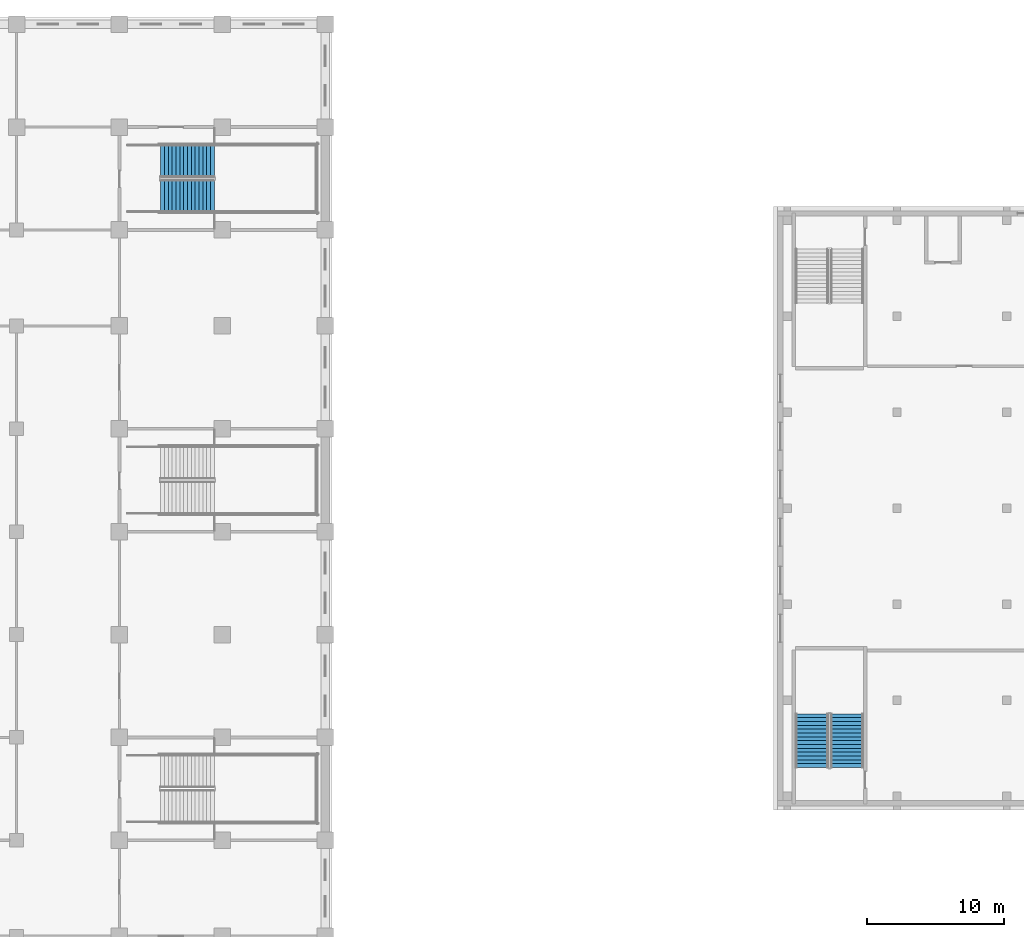
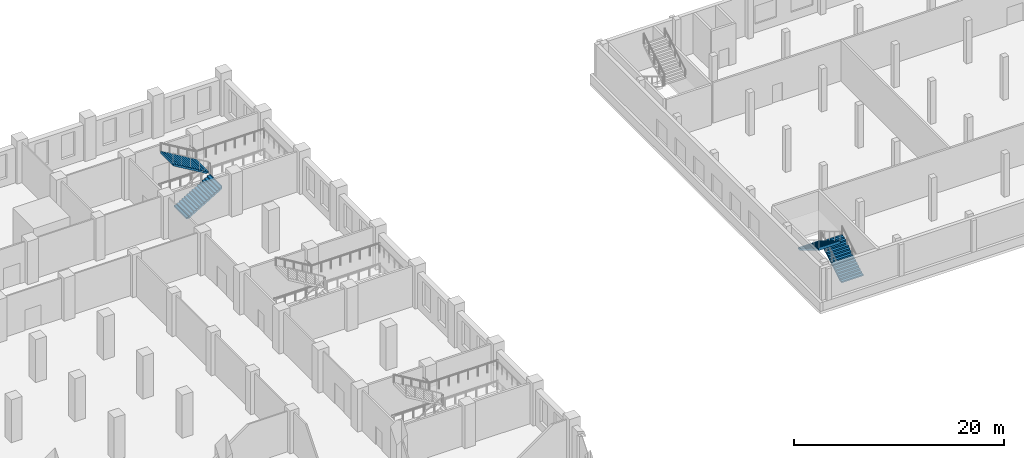
# One storey, part 18 of 32: 4 stair flights, 2 elements without a shape of their own.
"""IFC4 building model written with IfcOpenShell, lengths in metres."""

from ifc_helpers import new_model, si_unit, direction, frame, origin, place, context, subcontext, project, spatial, polyline, outline, extrude, material, type_object, element, aggregate, save


model = new_model("IFC4")

# Units and contexts
model_context = context("Model", 3, precision=1e-05, world=origin(), true_north=direction((0.0, 1.0)))
body_context = subcontext(model_context, "Body", "Model", "MODEL_VIEW")
ifc_project = project(units=[si_unit("LENGTHUNIT", "METRE"), si_unit("AREAUNIT", "SQUARE_METRE"), si_unit("VOLUMEUNIT", "CUBIC_METRE"), si_unit("PLANEANGLEUNIT", "RADIAN"), si_unit("MASSUNIT", "GRAM", prefix="KILO")], contexts=[model_context])

# Site, building, storey
site_placement = place(None, origin())
site = spatial("IfcSite", under=ifc_project, at=site_placement, CompositionType="ELEMENT")
building_placement = place(site_placement, origin())
building = spatial("IfcBuilding", under=site, at=building_placement, Name="Tamorin Gate", CompositionType="ELEMENT")
storey_placement = place(building_placement, frame((0.0, 0.0, 18.5)))
storey = spatial("IfcBuildingStorey", under=building, at=storey_placement, Name="L03", CompositionType="ELEMENT", Elevation=18.5)

# Stair, stair flights
ifc_material_1 = material(Name="Concrete C40/50", Category="concrete")
stair_type_1 = type_object("IfcStairType", Name="Museum exit stair 2400 C40/50", PredefinedType="HALF_TURN_STAIR", material=ifc_material_1)
stair_1_placement = place(storey_placement, origin())
stair_1 = element("IfcStair", 1, at=stair_1_placement, inside=storey, type_object=stair_type_1, Name="L03 PS8", PredefinedType="HALF_TURN_STAIR")
stair_flight_type_1 = type_object("IfcStairFlightType", Name="Museum exit stair flight 2400 C40/50", PredefinedType="STRAIGHT", material=ifc_material_1)
stair_flight_1_placement = place(storey_placement, frame((150.050048828125, 57.800048828125, 0.0), z_axis=(0.0, 0.0, 1.0), x_axis=(0.0, 1.0, 0.0)))
stair_flight_1 = element("IfcStairFlight", 2, at=stair_flight_1_placement, type_object=stair_flight_type_1, Name="PS8 flight 1", NumberOfRisers=15, NumberOfTreads=14, PredefinedType="STRAIGHT", RiserHeight=0.166666667, TreadLength=0.28, context=body_context, shape_type="SweptSolid", body=[
    extrude(outline(polyline([(-0.00048828125, 0.0), (-0.00048828125, 0.001708984375), (-0.00048828125, 0.00341796875), (-0.00048828125, 0.0048828125), (-0.00048828125, 0.006591796875), (-0.00048828125, 0.00830078125), (-0.00048828125, 0.010009765625), (-0.00048828125, 0.011474609375), (-0.00048828125, 0.01318359375), (-0.00048828125, 0.014892578125), (-0.00048828125, 0.0166015625), (-0.00048828125, 0.01806640625), (-0.00048828125, 0.019775390625), (-0.00048828125, 0.021484375), (-0.00048828125, 0.023193359375), (-0.00048828125, 0.024658203125), (-0.00048828125, 0.0263671875), (-0.00048828125, 0.028076171875), (-0.00048828125, 0.02978515625), (-0.00048828125, 0.03125), (-0.00048828125, 0.032958984375), (-0.00048828125, 0.03466796875), (-0.00048828125, 0.036376953125), (-0.00048828125, 0.037841796875), (-0.00048828125, 0.03955078125), (-0.00048828125, 0.041259765625), (-0.00048828125, 0.04296875), (-0.00048828125, 0.04443359375), (-0.00048828125, 0.046142578125), (-0.00048828125, 0.0478515625), (-0.00048828125, 0.049560546875), (-0.00048828125, 0.05126953125), (-0.00048828125, 0.052734375), (-0.00048828125, 0.054443359375), (-0.00048828125, 0.05615234375), (-0.00048828125, 0.057861328125), (-0.00048828125, 0.059326171875), (-0.00048828125, 0.06103515625), (-0.00048828125, 0.062744140625), (-0.00048828125, 0.064453125), (-0.00048828125, 0.06591796875), (-0.00048828125, 0.067626953125), (-0.00048828125, 0.0693359375), (-0.00048828125, 0.071044921875), (-0.00048828125, 0.072509765625), (-0.00048828125, 0.07421875), (-0.00048828125, 0.075927734375), (-0.00048828125, 0.07763671875), (-0.00048828125, 0.0791015625), (-0.00048828125, 0.080810546875), (-0.00048828125, 0.08251953125), (-0.00048828125, 0.084228515625), (-0.00048828125, 0.085693359375), (-0.00048828125, 0.08740234375), (-0.00048828125, 0.089111328125), (-0.00048828125, 0.0908203125), (-0.00048828125, 0.092529296875), (-0.00048828125, 0.093994140625), (-0.00048828125, 0.095703125), (-0.00048828125, 0.097412109375), (-0.00048828125, 0.09912109375), (-0.00048828125, 0.1005859375), (-0.00048828125, 0.102294921875), (-0.00048828125, 0.10400390625), (-0.00048828125, 0.105712890625), (-0.00048828125, 0.107177734375), (-0.00048828125, 0.10888671875), (-0.00048828125, 0.110595703125), (-0.00048828125, 0.1123046875), (-0.00048828125, 0.11376953125), (-0.00048828125, 0.115478515625), (-0.00048828125, 0.1171875), (-0.00048828125, 0.118896484375), (-0.00048828125, 0.120361328125), (-0.00048828125, 0.1220703125), (-0.00048828125, 0.123779296875), (-0.00048828125, 0.12548828125), (-0.00048828125, 0.126953125), (-0.00048828125, 0.128662109375), (-0.00048828125, 0.13037109375), (-0.00048828125, 0.132080078125), (-0.00048828125, 0.133544921875), (-0.00048828125, 0.13525390625), (-0.00048828125, 0.136962890625), (-0.00048828125, 0.138671875), (-0.00048828125, 0.140380859375), (-0.00048828125, 0.141845703125), (-0.00048828125, 0.1435546875), (-0.00048828125, 0.145263671875), (-0.00048828125, 0.14697265625), (-0.00048828125, 0.1484375), (-0.00048828125, 0.150146484375), (-0.00048828125, 0.15185546875), (-0.00048828125, 0.153564453125), (-0.00048828125, 0.155029296875), (-0.00048828125, 0.15673828125), (-0.00048828125, 0.158447265625), (-0.00048828125, 0.16015625), (-0.00048828125, 0.16162109375), (-0.00048828125, 0.163330078125), (-0.00048828125, 0.1650390625), (-0.00048828125, 0.166748046875), (0.280029296875, 0.166748046875), (0.280029296875, 0.333251953125), (0.56005859375, 0.333251953125), (0.56005859375, 0.5), (0.840087890625, 0.5), (0.840087890625, 0.666748046875), (1.1201171875, 0.666748046875), (1.1201171875, 0.833251953125), (1.39990234375, 0.833251953125), (1.39990234375, 1.0), (1.679931640625, 1.0), (1.679931640625, 1.166748046875), (1.9599609375, 1.166748046875), (1.9599609375, 1.333251953125), (2.239990234375, 1.333251953125), (2.239990234375, 1.5), (2.52001953125, 1.5), (2.52001953125, 1.666748046875), (2.800048828125, 1.666748046875), (2.800048828125, 1.833251953125), (3.080078125, 1.833251953125), (3.080078125, 2.0), (3.360107421875, 2.0), (3.360107421875, 2.166748046875), (3.639892578125, 2.166748046875), (3.639892578125, 2.333251953125), (3.919921875, 2.333251953125), (3.919921875, 2.5), (3.92041015625, 2.5), (3.92041015625, 2.49658203125), (3.92041015625, 2.4931640625), (3.92041015625, 2.48974609375), (3.92041015625, 2.486572265625), (3.92041015625, 2.483154296875), (3.92041015625, 2.479736328125), (3.92041015625, 2.476318359375), (3.92041015625, 2.472900390625), (3.92041015625, 2.469482421875), (3.92041015625, 2.46630859375), (3.92041015625, 2.462890625), (3.92041015625, 2.45947265625), (3.92041015625, 2.4560546875), (3.92041015625, 2.45263671875), (3.92041015625, 2.44921875), (3.92041015625, 2.446044921875), (3.92041015625, 2.442626953125), (3.92041015625, 2.439208984375), (3.92041015625, 2.435791015625), (3.92041015625, 2.432373046875), (3.92041015625, 2.428955078125), (3.92041015625, 2.42578125), (3.92041015625, 2.42236328125), (3.92041015625, 2.4189453125), (3.92041015625, 2.41552734375), (3.92041015625, 2.412109375), (3.92041015625, 2.40869140625), (3.92041015625, 2.405517578125), (3.92041015625, 2.402099609375), (3.92041015625, 2.398681640625), (3.92041015625, 2.395263671875), (3.92041015625, 2.391845703125), (3.92041015625, 2.388427734375), (3.92041015625, 2.38525390625), (3.92041015625, 2.3818359375), (3.92041015625, 2.37841796875), (3.92041015625, 2.375), (3.92041015625, 2.37158203125), (3.92041015625, 2.3681640625), (3.92041015625, 2.364990234375), (3.92041015625, 2.361572265625), (3.92041015625, 2.358154296875), (3.92041015625, 2.354736328125), (3.92041015625, 2.351318359375), (3.92041015625, 2.347900390625), (3.92041015625, 2.3447265625), (3.92041015625, 2.34130859375), (3.92041015625, 2.337890625), (3.92041015625, 2.33447265625), (3.92041015625, 2.3310546875), (3.92041015625, 2.32763671875), (3.92041015625, 2.324462890625), (3.92041015625, 2.321044921875), (3.92041015625, 2.317626953125), (3.92041015625, 2.314208984375), (3.92041015625, 2.310791015625), (3.92041015625, 2.307373046875), (3.92041015625, 2.30419921875), (3.92041015625, 2.30078125), (3.92041015625, 2.29736328125), (3.92041015625, 2.2939453125), (3.92041015625, 2.29052734375), (3.92041015625, 2.287109375), (3.92041015625, 2.283935546875), (3.92041015625, 2.280517578125), (3.92041015625, 2.277099609375), (3.92041015625, 2.273681640625), (3.92041015625, 2.270263671875), (3.92041015625, 2.266845703125), (3.92041015625, 2.263671875), (3.92041015625, 2.26025390625), (3.92041015625, 2.2568359375), (3.92041015625, 2.25341796875), (3.92041015625, 2.25), (3.92041015625, 2.24658203125), (3.92041015625, 2.243408203125), (3.92041015625, 2.239990234375), (3.92041015625, 2.236572265625), (3.92041015625, 2.233154296875), (3.92041015625, 2.229736328125), (3.92041015625, 2.226318359375), (3.92041015625, 2.22314453125), (3.92041015625, 2.2197265625), (3.92041015625, 2.21630859375), (3.92041015625, 2.212890625), (3.92041015625, 2.20947265625), (3.92041015625, 2.2060546875), (3.92041015625, 2.202880859375), (3.92041015625, 2.199462890625), (3.92041015625, 2.196044921875), (3.92041015625, 2.192626953125), (3.92041015625, 2.189208984375), (3.92041015625, 2.185791015625), (3.92041015625, 2.1826171875), (3.92041015625, 2.17919921875), (3.92041015625, 2.17578125), (3.92041015625, 2.17236328125), (3.92041015625, 2.1689453125), (3.92041015625, 2.16552734375), (3.92041015625, 2.162353515625), (3.92041015625, 2.158935546875), (3.919921875, 2.158935546875), (0.29296875, 0.0), (-0.00048828125, 0.0)])), frame((0.0, 1.199951171875, 0.0), z_axis=(0.0, -1.0, 0.0), x_axis=(1.0, 0.0, 0.0)), (0.0, 0.0, 1.0), 2.39990234375),
])
stair_flight_2_placement = place(storey_placement, frame((147.5, 61.719970703125, 2.5), z_axis=(0.0, 0.0, 1.0), x_axis=(0.0, -1.0, 0.0)))
stair_flight_2 = element("IfcStairFlight", 3, at=stair_flight_2_placement, type_object=stair_flight_type_1, Name="PS8 flight 2", NumberOfRisers=15, NumberOfTreads=14, PredefinedType="STRAIGHT", RiserHeight=0.166666667, TreadLength=0.28, context=body_context, shape_type="SweptSolid", body=[
    extrude(outline(polyline([(-0.00048828125, 0.0), (-0.00048828125, 0.001708984375), (-0.00048828125, 0.00341796875), (-0.00048828125, 0.0048828125), (-0.00048828125, 0.006591796875), (-0.00048828125, 0.00830078125), (-0.00048828125, 0.010009765625), (-0.00048828125, 0.011474609375), (-0.00048828125, 0.01318359375), (-0.00048828125, 0.014892578125), (-0.00048828125, 0.0166015625), (-0.00048828125, 0.01806640625), (-0.00048828125, 0.019775390625), (-0.00048828125, 0.021484375), (-0.00048828125, 0.023193359375), (-0.00048828125, 0.024658203125), (-0.00048828125, 0.0263671875), (-0.00048828125, 0.028076171875), (-0.00048828125, 0.02978515625), (-0.00048828125, 0.03125), (-0.00048828125, 0.032958984375), (-0.00048828125, 0.03466796875), (-0.00048828125, 0.036376953125), (-0.00048828125, 0.037841796875), (-0.00048828125, 0.03955078125), (-0.00048828125, 0.041259765625), (-0.00048828125, 0.04296875), (-0.00048828125, 0.04443359375), (-0.00048828125, 0.046142578125), (-0.00048828125, 0.0478515625), (-0.00048828125, 0.049560546875), (-0.00048828125, 0.05126953125), (-0.00048828125, 0.052734375), (-0.00048828125, 0.054443359375), (-0.00048828125, 0.05615234375), (-0.00048828125, 0.057861328125), (-0.00048828125, 0.059326171875), (-0.00048828125, 0.06103515625), (-0.00048828125, 0.062744140625), (-0.00048828125, 0.064453125), (-0.00048828125, 0.06591796875), (-0.00048828125, 0.067626953125), (-0.00048828125, 0.0693359375), (-0.00048828125, 0.071044921875), (-0.00048828125, 0.072509765625), (-0.00048828125, 0.07421875), (-0.00048828125, 0.075927734375), (-0.00048828125, 0.07763671875), (-0.00048828125, 0.0791015625), (-0.00048828125, 0.080810546875), (-0.00048828125, 0.08251953125), (-0.00048828125, 0.084228515625), (-0.00048828125, 0.085693359375), (-0.00048828125, 0.08740234375), (-0.00048828125, 0.089111328125), (-0.00048828125, 0.0908203125), (-0.00048828125, 0.092529296875), (-0.00048828125, 0.093994140625), (-0.00048828125, 0.095703125), (-0.00048828125, 0.097412109375), (-0.00048828125, 0.09912109375), (-0.00048828125, 0.1005859375), (-0.00048828125, 0.102294921875), (-0.00048828125, 0.10400390625), (-0.00048828125, 0.105712890625), (-0.00048828125, 0.107177734375), (-0.00048828125, 0.10888671875), (-0.00048828125, 0.110595703125), (-0.00048828125, 0.1123046875), (-0.00048828125, 0.11376953125), (-0.00048828125, 0.115478515625), (-0.00048828125, 0.1171875), (-0.00048828125, 0.118896484375), (-0.00048828125, 0.120361328125), (-0.00048828125, 0.1220703125), (-0.00048828125, 0.123779296875), (-0.00048828125, 0.12548828125), (-0.00048828125, 0.126953125), (-0.00048828125, 0.128662109375), (-0.00048828125, 0.13037109375), (-0.00048828125, 0.132080078125), (-0.00048828125, 0.133544921875), (-0.00048828125, 0.13525390625), (-0.00048828125, 0.136962890625), (-0.00048828125, 0.138671875), (-0.00048828125, 0.140380859375), (-0.00048828125, 0.141845703125), (-0.00048828125, 0.1435546875), (-0.00048828125, 0.145263671875), (-0.00048828125, 0.14697265625), (-0.00048828125, 0.1484375), (-0.00048828125, 0.150146484375), (-0.00048828125, 0.15185546875), (-0.00048828125, 0.153564453125), (-0.00048828125, 0.155029296875), (-0.00048828125, 0.15673828125), (-0.00048828125, 0.158447265625), (-0.00048828125, 0.16015625), (-0.00048828125, 0.16162109375), (-0.00048828125, 0.163330078125), (-0.00048828125, 0.1650390625), (-0.00048828125, 0.166748046875), (0.280029296875, 0.166748046875), (0.280029296875, 0.333251953125), (0.56005859375, 0.333251953125), (0.56005859375, 0.5), (0.840087890625, 0.5), (0.840087890625, 0.666748046875), (1.1201171875, 0.666748046875), (1.1201171875, 0.833251953125), (1.39990234375, 0.833251953125), (1.39990234375, 1.0), (1.679931640625, 1.0), (1.679931640625, 1.166748046875), (1.9599609375, 1.166748046875), (1.9599609375, 1.333251953125), (2.239990234375, 1.333251953125), (2.239990234375, 1.5), (2.52001953125, 1.5), (2.52001953125, 1.666748046875), (2.800048828125, 1.666748046875), (2.800048828125, 1.833251953125), (3.080078125, 1.833251953125), (3.080078125, 2.0), (3.360107421875, 2.0), (3.360107421875, 2.166748046875), (3.639892578125, 2.166748046875), (3.639892578125, 2.333251953125), (3.919921875, 2.333251953125), (3.919921875, 2.5), (3.92041015625, 2.5), (3.92041015625, 2.49658203125), (3.92041015625, 2.4931640625), (3.92041015625, 2.48974609375), (3.92041015625, 2.486572265625), (3.92041015625, 2.483154296875), (3.92041015625, 2.479736328125), (3.92041015625, 2.476318359375), (3.92041015625, 2.472900390625), (3.92041015625, 2.469482421875), (3.92041015625, 2.46630859375), (3.92041015625, 2.462890625), (3.92041015625, 2.45947265625), (3.92041015625, 2.4560546875), (3.92041015625, 2.45263671875), (3.92041015625, 2.44921875), (3.92041015625, 2.446044921875), (3.92041015625, 2.442626953125), (3.92041015625, 2.439208984375), (3.92041015625, 2.435791015625), (3.92041015625, 2.432373046875), (3.92041015625, 2.428955078125), (3.92041015625, 2.42578125), (3.92041015625, 2.42236328125), (3.92041015625, 2.4189453125), (3.92041015625, 2.41552734375), (3.92041015625, 2.412109375), (3.92041015625, 2.40869140625), (3.92041015625, 2.405517578125), (3.92041015625, 2.402099609375), (3.92041015625, 2.398681640625), (3.92041015625, 2.395263671875), (3.92041015625, 2.391845703125), (3.92041015625, 2.388427734375), (3.92041015625, 2.38525390625), (3.92041015625, 2.3818359375), (3.92041015625, 2.37841796875), (3.92041015625, 2.375), (3.92041015625, 2.37158203125), (3.92041015625, 2.3681640625), (3.92041015625, 2.364990234375), (3.92041015625, 2.361572265625), (3.92041015625, 2.358154296875), (3.92041015625, 2.354736328125), (3.92041015625, 2.351318359375), (3.92041015625, 2.347900390625), (3.92041015625, 2.3447265625), (3.92041015625, 2.34130859375), (3.92041015625, 2.337890625), (3.92041015625, 2.33447265625), (3.92041015625, 2.3310546875), (3.92041015625, 2.32763671875), (3.92041015625, 2.324462890625), (3.92041015625, 2.321044921875), (3.92041015625, 2.317626953125), (3.92041015625, 2.314208984375), (3.92041015625, 2.310791015625), (3.92041015625, 2.307373046875), (3.92041015625, 2.30419921875), (3.92041015625, 2.30078125), (3.92041015625, 2.29736328125), (3.92041015625, 2.2939453125), (3.92041015625, 2.29052734375), (3.92041015625, 2.287109375), (3.92041015625, 2.283935546875), (3.92041015625, 2.280517578125), (3.92041015625, 2.277099609375), (3.92041015625, 2.273681640625), (3.92041015625, 2.270263671875), (3.92041015625, 2.266845703125), (3.92041015625, 2.263671875), (3.92041015625, 2.26025390625), (3.92041015625, 2.2568359375), (3.92041015625, 2.25341796875), (3.92041015625, 2.25), (3.92041015625, 2.24658203125), (3.92041015625, 2.243408203125), (3.92041015625, 2.239990234375), (3.92041015625, 2.236572265625), (3.92041015625, 2.233154296875), (3.92041015625, 2.229736328125), (3.92041015625, 2.226318359375), (3.92041015625, 2.22314453125), (3.92041015625, 2.2197265625), (3.92041015625, 2.21630859375), (3.92041015625, 2.212890625), (3.92041015625, 2.20947265625), (3.92041015625, 2.2060546875), (3.92041015625, 2.202880859375), (3.92041015625, 2.199462890625), (3.92041015625, 2.196044921875), (3.92041015625, 2.192626953125), (3.92041015625, 2.189208984375), (3.92041015625, 2.185791015625), (3.92041015625, 2.1826171875), (3.92041015625, 2.17919921875), (3.92041015625, 2.17578125), (3.92041015625, 2.17236328125), (3.92041015625, 2.1689453125), (3.92041015625, 2.16552734375), (3.92041015625, 2.162353515625), (3.92041015625, 2.158935546875), (3.919921875, 2.158935546875), (0.29296875, 0.0), (-0.00048828125, 0.0)])), frame((0.0, 1.199951171875, 0.0), z_axis=(0.0, -1.0, 0.0), x_axis=(1.0, 0.0, 0.0)), (0.0, 0.0, 1.0), 2.39990234375),
])
aggregate(stair_1, [stair_flight_1, stair_flight_2])

ifc_material_2 = material(Name="Reinforced concrete C32/40", Category="concrete")
stair_type_2 = type_object("IfcStairType", Name="Podium stair PS", PredefinedType="HALF_TURN_STAIR", material=ifc_material_2)
stair_2_placement = place(storey_placement, origin())
stair_2 = element("IfcStair", 4, at=stair_2_placement, inside=storey, type_object=stair_type_2, Name="L03 Podium stair PS4", PredefinedType="HALF_TURN_STAIR")
stair_flight_type_2 = type_object("IfcStairFlightType", Name="Stair flight 2400", PredefinedType="STRAIGHT", material=ifc_material_2)
stair_flight_3_placement = place(storey_placement, frame((100.0, 99.47509765625, 0.0), z_axis=(0.0, 0.0, 1.0), x_axis=(1.0, 0.0, 0.0)))
stair_flight_3 = element("IfcStairFlight", 5, at=stair_flight_3_placement, type_object=stair_flight_type_2, Name="PS4 flight 1", NumberOfRisers=15, NumberOfTreads=14, PredefinedType="STRAIGHT", RiserHeight=0.166666667, TreadLength=0.28, context=body_context, shape_type="SweptSolid", body=[
    extrude(outline(polyline([(-0.00048828125, 0.0), (-0.00048828125, 0.001708984375), (-0.00048828125, 0.00341796875), (-0.00048828125, 0.0048828125), (-0.00048828125, 0.006591796875), (-0.00048828125, 0.00830078125), (-0.00048828125, 0.010009765625), (-0.00048828125, 0.011474609375), (-0.00048828125, 0.01318359375), (-0.00048828125, 0.014892578125), (-0.00048828125, 0.0166015625), (-0.00048828125, 0.01806640625), (-0.00048828125, 0.019775390625), (-0.00048828125, 0.021484375), (-0.00048828125, 0.023193359375), (-0.00048828125, 0.024658203125), (-0.00048828125, 0.0263671875), (-0.00048828125, 0.028076171875), (-0.00048828125, 0.02978515625), (-0.00048828125, 0.03125), (-0.00048828125, 0.032958984375), (-0.00048828125, 0.03466796875), (-0.00048828125, 0.036376953125), (-0.00048828125, 0.037841796875), (-0.00048828125, 0.03955078125), (-0.00048828125, 0.041259765625), (-0.00048828125, 0.04296875), (-0.00048828125, 0.04443359375), (-0.00048828125, 0.046142578125), (-0.00048828125, 0.0478515625), (-0.00048828125, 0.049560546875), (-0.00048828125, 0.05126953125), (-0.00048828125, 0.052734375), (-0.00048828125, 0.054443359375), (-0.00048828125, 0.05615234375), (-0.00048828125, 0.057861328125), (-0.00048828125, 0.059326171875), (-0.00048828125, 0.06103515625), (-0.00048828125, 0.062744140625), (-0.00048828125, 0.064453125), (-0.00048828125, 0.06591796875), (-0.00048828125, 0.067626953125), (-0.00048828125, 0.0693359375), (-0.00048828125, 0.071044921875), (-0.00048828125, 0.072509765625), (-0.00048828125, 0.07421875), (-0.00048828125, 0.075927734375), (-0.00048828125, 0.07763671875), (-0.00048828125, 0.0791015625), (-0.00048828125, 0.080810546875), (-0.00048828125, 0.08251953125), (-0.00048828125, 0.084228515625), (-0.00048828125, 0.085693359375), (-0.00048828125, 0.08740234375), (-0.00048828125, 0.089111328125), (-0.00048828125, 0.0908203125), (-0.00048828125, 0.092529296875), (-0.00048828125, 0.093994140625), (-0.00048828125, 0.095703125), (-0.00048828125, 0.097412109375), (-0.00048828125, 0.09912109375), (-0.00048828125, 0.1005859375), (-0.00048828125, 0.102294921875), (-0.00048828125, 0.10400390625), (-0.00048828125, 0.105712890625), (-0.00048828125, 0.107177734375), (-0.00048828125, 0.10888671875), (-0.00048828125, 0.110595703125), (-0.00048828125, 0.1123046875), (-0.00048828125, 0.11376953125), (-0.00048828125, 0.115478515625), (-0.00048828125, 0.1171875), (-0.00048828125, 0.118896484375), (-0.00048828125, 0.120361328125), (-0.00048828125, 0.1220703125), (-0.00048828125, 0.123779296875), (-0.00048828125, 0.12548828125), (-0.00048828125, 0.126953125), (-0.00048828125, 0.128662109375), (-0.00048828125, 0.13037109375), (-0.00048828125, 0.132080078125), (-0.00048828125, 0.133544921875), (-0.00048828125, 0.13525390625), (-0.00048828125, 0.136962890625), (-0.00048828125, 0.138671875), (-0.00048828125, 0.140380859375), (-0.00048828125, 0.141845703125), (-0.00048828125, 0.1435546875), (-0.00048828125, 0.145263671875), (-0.00048828125, 0.14697265625), (-0.00048828125, 0.1484375), (-0.00048828125, 0.150146484375), (-0.00048828125, 0.15185546875), (-0.00048828125, 0.153564453125), (-0.00048828125, 0.155029296875), (-0.00048828125, 0.15673828125), (-0.00048828125, 0.158447265625), (-0.00048828125, 0.16015625), (-0.00048828125, 0.16162109375), (-0.00048828125, 0.163330078125), (-0.00048828125, 0.1650390625), (-0.00048828125, 0.166748046875), (0.280029296875, 0.166748046875), (0.280029296875, 0.333251953125), (0.56005859375, 0.333251953125), (0.56005859375, 0.5), (0.840087890625, 0.5), (0.840087890625, 0.666748046875), (1.1201171875, 0.666748046875), (1.1201171875, 0.833251953125), (1.39990234375, 0.833251953125), (1.39990234375, 1.0), (1.679931640625, 1.0), (1.679931640625, 1.166748046875), (1.9599609375, 1.166748046875), (1.9599609375, 1.333251953125), (2.239990234375, 1.333251953125), (2.239990234375, 1.5), (2.52001953125, 1.5), (2.52001953125, 1.666748046875), (2.800048828125, 1.666748046875), (2.800048828125, 1.833251953125), (3.080078125, 1.833251953125), (3.080078125, 2.0), (3.360107421875, 2.0), (3.360107421875, 2.166748046875), (3.639892578125, 2.166748046875), (3.639892578125, 2.333251953125), (3.919921875, 2.333251953125), (3.919921875, 2.5), (3.92041015625, 2.5), (3.92041015625, 2.49658203125), (3.92041015625, 2.4931640625), (3.92041015625, 2.48974609375), (3.92041015625, 2.486572265625), (3.92041015625, 2.483154296875), (3.92041015625, 2.479736328125), (3.92041015625, 2.476318359375), (3.92041015625, 2.472900390625), (3.92041015625, 2.469482421875), (3.92041015625, 2.46630859375), (3.92041015625, 2.462890625), (3.92041015625, 2.45947265625), (3.92041015625, 2.4560546875), (3.92041015625, 2.45263671875), (3.92041015625, 2.44921875), (3.92041015625, 2.446044921875), (3.92041015625, 2.442626953125), (3.92041015625, 2.439208984375), (3.92041015625, 2.435791015625), (3.92041015625, 2.432373046875), (3.92041015625, 2.428955078125), (3.92041015625, 2.42578125), (3.92041015625, 2.42236328125), (3.92041015625, 2.4189453125), (3.92041015625, 2.41552734375), (3.92041015625, 2.412109375), (3.92041015625, 2.40869140625), (3.92041015625, 2.405517578125), (3.92041015625, 2.402099609375), (3.92041015625, 2.398681640625), (3.92041015625, 2.395263671875), (3.92041015625, 2.391845703125), (3.92041015625, 2.388427734375), (3.92041015625, 2.38525390625), (3.92041015625, 2.3818359375), (3.92041015625, 2.37841796875), (3.92041015625, 2.375), (3.92041015625, 2.37158203125), (3.92041015625, 2.3681640625), (3.92041015625, 2.364990234375), (3.92041015625, 2.361572265625), (3.92041015625, 2.358154296875), (3.92041015625, 2.354736328125), (3.92041015625, 2.351318359375), (3.92041015625, 2.347900390625), (3.92041015625, 2.3447265625), (3.92041015625, 2.34130859375), (3.92041015625, 2.337890625), (3.92041015625, 2.33447265625), (3.92041015625, 2.3310546875), (3.92041015625, 2.32763671875), (3.92041015625, 2.324462890625), (3.92041015625, 2.321044921875), (3.92041015625, 2.317626953125), (3.92041015625, 2.314208984375), (3.92041015625, 2.310791015625), (3.92041015625, 2.307373046875), (3.92041015625, 2.30419921875), (3.92041015625, 2.30078125), (3.92041015625, 2.29736328125), (3.92041015625, 2.2939453125), (3.92041015625, 2.29052734375), (3.92041015625, 2.287109375), (3.92041015625, 2.283935546875), (3.92041015625, 2.280517578125), (3.92041015625, 2.277099609375), (3.92041015625, 2.273681640625), (3.92041015625, 2.270263671875), (3.92041015625, 2.266845703125), (3.92041015625, 2.263671875), (3.92041015625, 2.26025390625), (3.92041015625, 2.2568359375), (3.92041015625, 2.25341796875), (3.92041015625, 2.25), (3.92041015625, 2.24658203125), (3.92041015625, 2.243408203125), (3.92041015625, 2.239990234375), (3.92041015625, 2.236572265625), (3.92041015625, 2.233154296875), (3.92041015625, 2.229736328125), (3.92041015625, 2.226318359375), (3.92041015625, 2.22314453125), (3.92041015625, 2.2197265625), (3.92041015625, 2.21630859375), (3.92041015625, 2.212890625), (3.92041015625, 2.20947265625), (3.92041015625, 2.2060546875), (3.92041015625, 2.202880859375), (3.92041015625, 2.199462890625), (3.92041015625, 2.196044921875), (3.92041015625, 2.192626953125), (3.92041015625, 2.189208984375), (3.92041015625, 2.185791015625), (3.92041015625, 2.1826171875), (3.92041015625, 2.17919921875), (3.92041015625, 2.17578125), (3.92041015625, 2.17236328125), (3.92041015625, 2.1689453125), (3.92041015625, 2.16552734375), (3.92041015625, 2.162353515625), (3.92041015625, 2.158935546875), (3.919921875, 2.158935546875), (0.29296875, 0.0), (-0.00048828125, 0.0)])), frame((0.0, 1.199951171875, 0.0), z_axis=(0.0, -1.0, 0.0), x_axis=(1.0, 0.0, 0.0)), (0.0, 0.0, 1.0), 2.39990234375),
])
stair_flight_4_placement = place(storey_placement, frame((103.919921875, 102.02490234375, 2.5), z_axis=(0.0, 0.0, 1.0), x_axis=(-1.0, 0.0, 0.0)))
stair_flight_4 = element("IfcStairFlight", 6, at=stair_flight_4_placement, type_object=stair_flight_type_2, Name="PS4 flight 2", NumberOfRisers=15, NumberOfTreads=14, PredefinedType="STRAIGHT", RiserHeight=0.166666667, TreadLength=0.28, context=body_context, shape_type="SweptSolid", body=[
    extrude(outline(polyline([(-0.00048828125, 0.0), (-0.00048828125, 0.001708984375), (-0.00048828125, 0.00341796875), (-0.00048828125, 0.0048828125), (-0.00048828125, 0.006591796875), (-0.00048828125, 0.00830078125), (-0.00048828125, 0.010009765625), (-0.00048828125, 0.011474609375), (-0.00048828125, 0.01318359375), (-0.00048828125, 0.014892578125), (-0.00048828125, 0.0166015625), (-0.00048828125, 0.01806640625), (-0.00048828125, 0.019775390625), (-0.00048828125, 0.021484375), (-0.00048828125, 0.023193359375), (-0.00048828125, 0.024658203125), (-0.00048828125, 0.0263671875), (-0.00048828125, 0.028076171875), (-0.00048828125, 0.02978515625), (-0.00048828125, 0.03125), (-0.00048828125, 0.032958984375), (-0.00048828125, 0.03466796875), (-0.00048828125, 0.036376953125), (-0.00048828125, 0.037841796875), (-0.00048828125, 0.03955078125), (-0.00048828125, 0.041259765625), (-0.00048828125, 0.04296875), (-0.00048828125, 0.04443359375), (-0.00048828125, 0.046142578125), (-0.00048828125, 0.0478515625), (-0.00048828125, 0.049560546875), (-0.00048828125, 0.05126953125), (-0.00048828125, 0.052734375), (-0.00048828125, 0.054443359375), (-0.00048828125, 0.05615234375), (-0.00048828125, 0.057861328125), (-0.00048828125, 0.059326171875), (-0.00048828125, 0.06103515625), (-0.00048828125, 0.062744140625), (-0.00048828125, 0.064453125), (-0.00048828125, 0.06591796875), (-0.00048828125, 0.067626953125), (-0.00048828125, 0.0693359375), (-0.00048828125, 0.071044921875), (-0.00048828125, 0.072509765625), (-0.00048828125, 0.07421875), (-0.00048828125, 0.075927734375), (-0.00048828125, 0.07763671875), (-0.00048828125, 0.0791015625), (-0.00048828125, 0.080810546875), (-0.00048828125, 0.08251953125), (-0.00048828125, 0.084228515625), (-0.00048828125, 0.085693359375), (-0.00048828125, 0.08740234375), (-0.00048828125, 0.089111328125), (-0.00048828125, 0.0908203125), (-0.00048828125, 0.092529296875), (-0.00048828125, 0.093994140625), (-0.00048828125, 0.095703125), (-0.00048828125, 0.097412109375), (-0.00048828125, 0.09912109375), (-0.00048828125, 0.1005859375), (-0.00048828125, 0.102294921875), (-0.00048828125, 0.10400390625), (-0.00048828125, 0.105712890625), (-0.00048828125, 0.107177734375), (-0.00048828125, 0.10888671875), (-0.00048828125, 0.110595703125), (-0.00048828125, 0.1123046875), (-0.00048828125, 0.11376953125), (-0.00048828125, 0.115478515625), (-0.00048828125, 0.1171875), (-0.00048828125, 0.118896484375), (-0.00048828125, 0.120361328125), (-0.00048828125, 0.1220703125), (-0.00048828125, 0.123779296875), (-0.00048828125, 0.12548828125), (-0.00048828125, 0.126953125), (-0.00048828125, 0.128662109375), (-0.00048828125, 0.13037109375), (-0.00048828125, 0.132080078125), (-0.00048828125, 0.133544921875), (-0.00048828125, 0.13525390625), (-0.00048828125, 0.136962890625), (-0.00048828125, 0.138671875), (-0.00048828125, 0.140380859375), (-0.00048828125, 0.141845703125), (-0.00048828125, 0.1435546875), (-0.00048828125, 0.145263671875), (-0.00048828125, 0.14697265625), (-0.00048828125, 0.1484375), (-0.00048828125, 0.150146484375), (-0.00048828125, 0.15185546875), (-0.00048828125, 0.153564453125), (-0.00048828125, 0.155029296875), (-0.00048828125, 0.15673828125), (-0.00048828125, 0.158447265625), (-0.00048828125, 0.16015625), (-0.00048828125, 0.16162109375), (-0.00048828125, 0.163330078125), (-0.00048828125, 0.1650390625), (-0.00048828125, 0.166748046875), (0.280029296875, 0.166748046875), (0.280029296875, 0.333251953125), (0.56005859375, 0.333251953125), (0.56005859375, 0.5), (0.840087890625, 0.5), (0.840087890625, 0.666748046875), (1.1201171875, 0.666748046875), (1.1201171875, 0.833251953125), (1.39990234375, 0.833251953125), (1.39990234375, 1.0), (1.679931640625, 1.0), (1.679931640625, 1.166748046875), (1.9599609375, 1.166748046875), (1.9599609375, 1.333251953125), (2.239990234375, 1.333251953125), (2.239990234375, 1.5), (2.52001953125, 1.5), (2.52001953125, 1.666748046875), (2.800048828125, 1.666748046875), (2.800048828125, 1.833251953125), (3.080078125, 1.833251953125), (3.080078125, 2.0), (3.360107421875, 2.0), (3.360107421875, 2.166748046875), (3.639892578125, 2.166748046875), (3.639892578125, 2.333251953125), (3.919921875, 2.333251953125), (3.919921875, 2.5), (3.92041015625, 2.5), (3.92041015625, 2.49658203125), (3.92041015625, 2.4931640625), (3.92041015625, 2.48974609375), (3.92041015625, 2.486572265625), (3.92041015625, 2.483154296875), (3.92041015625, 2.479736328125), (3.92041015625, 2.476318359375), (3.92041015625, 2.472900390625), (3.92041015625, 2.469482421875), (3.92041015625, 2.46630859375), (3.92041015625, 2.462890625), (3.92041015625, 2.45947265625), (3.92041015625, 2.4560546875), (3.92041015625, 2.45263671875), (3.92041015625, 2.44921875), (3.92041015625, 2.446044921875), (3.92041015625, 2.442626953125), (3.92041015625, 2.439208984375), (3.92041015625, 2.435791015625), (3.92041015625, 2.432373046875), (3.92041015625, 2.428955078125), (3.92041015625, 2.42578125), (3.92041015625, 2.42236328125), (3.92041015625, 2.4189453125), (3.92041015625, 2.41552734375), (3.92041015625, 2.412109375), (3.92041015625, 2.40869140625), (3.92041015625, 2.405517578125), (3.92041015625, 2.402099609375), (3.92041015625, 2.398681640625), (3.92041015625, 2.395263671875), (3.92041015625, 2.391845703125), (3.92041015625, 2.388427734375), (3.92041015625, 2.38525390625), (3.92041015625, 2.3818359375), (3.92041015625, 2.37841796875), (3.92041015625, 2.375), (3.92041015625, 2.37158203125), (3.92041015625, 2.3681640625), (3.92041015625, 2.364990234375), (3.92041015625, 2.361572265625), (3.92041015625, 2.358154296875), (3.92041015625, 2.354736328125), (3.92041015625, 2.351318359375), (3.92041015625, 2.347900390625), (3.92041015625, 2.3447265625), (3.92041015625, 2.34130859375), (3.92041015625, 2.337890625), (3.92041015625, 2.33447265625), (3.92041015625, 2.3310546875), (3.92041015625, 2.32763671875), (3.92041015625, 2.324462890625), (3.92041015625, 2.321044921875), (3.92041015625, 2.317626953125), (3.92041015625, 2.314208984375), (3.92041015625, 2.310791015625), (3.92041015625, 2.307373046875), (3.92041015625, 2.30419921875), (3.92041015625, 2.30078125), (3.92041015625, 2.29736328125), (3.92041015625, 2.2939453125), (3.92041015625, 2.29052734375), (3.92041015625, 2.287109375), (3.92041015625, 2.283935546875), (3.92041015625, 2.280517578125), (3.92041015625, 2.277099609375), (3.92041015625, 2.273681640625), (3.92041015625, 2.270263671875), (3.92041015625, 2.266845703125), (3.92041015625, 2.263671875), (3.92041015625, 2.26025390625), (3.92041015625, 2.2568359375), (3.92041015625, 2.25341796875), (3.92041015625, 2.25), (3.92041015625, 2.24658203125), (3.92041015625, 2.243408203125), (3.92041015625, 2.239990234375), (3.92041015625, 2.236572265625), (3.92041015625, 2.233154296875), (3.92041015625, 2.229736328125), (3.92041015625, 2.226318359375), (3.92041015625, 2.22314453125), (3.92041015625, 2.2197265625), (3.92041015625, 2.21630859375), (3.92041015625, 2.212890625), (3.92041015625, 2.20947265625), (3.92041015625, 2.2060546875), (3.92041015625, 2.202880859375), (3.92041015625, 2.199462890625), (3.92041015625, 2.196044921875), (3.92041015625, 2.192626953125), (3.92041015625, 2.189208984375), (3.92041015625, 2.185791015625), (3.92041015625, 2.1826171875), (3.92041015625, 2.17919921875), (3.92041015625, 2.17578125), (3.92041015625, 2.17236328125), (3.92041015625, 2.1689453125), (3.92041015625, 2.16552734375), (3.92041015625, 2.162353515625), (3.92041015625, 2.158935546875), (3.919921875, 2.158935546875), (0.29296875, 0.0), (-0.00048828125, 0.0)])), frame((0.0, 1.199951171875, 0.0), z_axis=(0.0, -1.0, 0.0), x_axis=(1.0, 0.0, 0.0)), (0.0, 0.0, 1.0), 2.39990234375),
])
aggregate(stair_2, [stair_flight_3, stair_flight_4])

save(model, "model.ifc")
